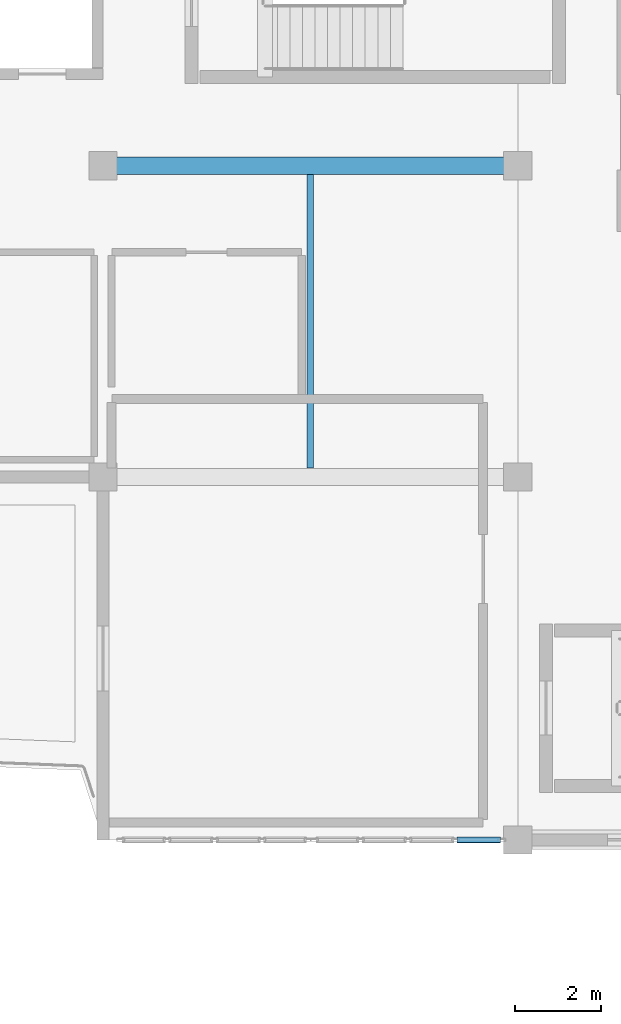
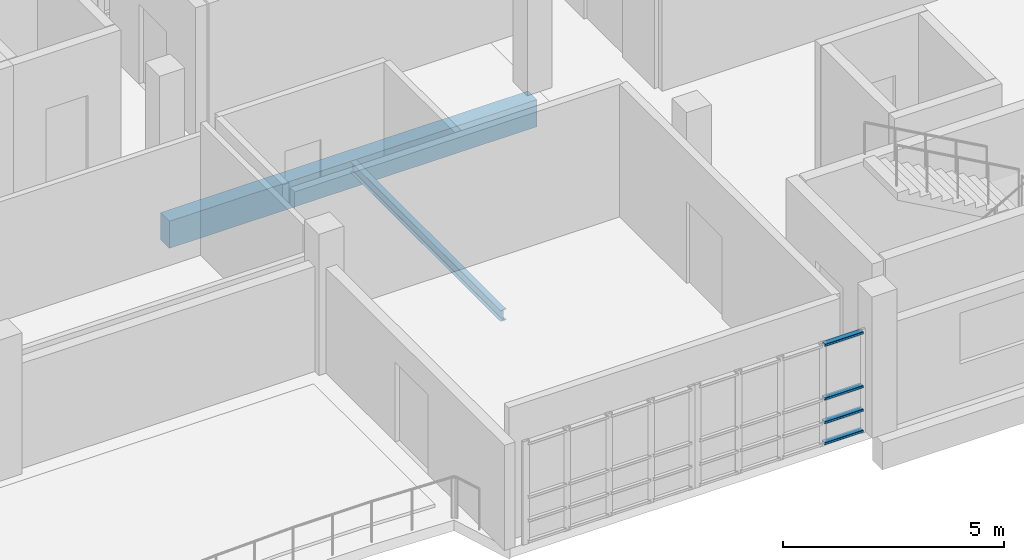
# One storey, part 5 of 25: 4 members, 2 beams, 1 element without a shape of its own.
"""IFC4 building model written with IfcOpenShell, lengths in metres."""

from ifc_helpers import new_model, si_unit, direction, frame, origin, origin_2d, place, context, subcontext, project, spatial, rectangle, hollow_rectangle, i_section, extrude, material, layer, layer_set, material_profile, profile_set, type_object, element, aggregate, save


model = new_model("IFC4")

# Units and contexts
model_context = context("Model", 3, precision=1e-05, world=origin(), true_north=direction((0.0, 1.0)))
body_context = subcontext(model_context, "Body", "Model", "MODEL_VIEW")
ifc_project = project(units=[si_unit("LENGTHUNIT", "METRE"), si_unit("AREAUNIT", "SQUARE_METRE"), si_unit("VOLUMEUNIT", "CUBIC_METRE"), si_unit("PLANEANGLEUNIT", "RADIAN"), si_unit("MASSUNIT", "GRAM", prefix="KILO")], contexts=[model_context])

# Site, building, storey
site_placement = place(None, origin())
site = spatial("IfcSite", under=ifc_project, at=site_placement, CompositionType="ELEMENT")
building_placement = place(site_placement, origin())
building = spatial("IfcBuilding", under=site, at=building_placement, Name="Kisaragi Civic Commons", CompositionType="ELEMENT")
storey_placement = place(building_placement, frame((0.0, 0.0, 13.5)))
storey = spatial("IfcBuildingStorey", under=building, at=storey_placement, Name="L03", CompositionType="ELEMENT", Elevation=13.5)

# Curtain wall, members
ifc_material_1 = material(Name="Thermally broken anodized aluminium and low-E double glazing", Category="aluminium")
ifc_layer = layer(ifc_material_1, 0.179931640625, Name="Thermally broken anodized aluminium and low-E double glazing", Category="aluminium")
ifc_layer_set = layer_set([ifc_layer], Name="Thermally broken anodized aluminium and low-E double glazing")
curtain_wall_type = type_object("IfcCurtainWallType", Name="CW-01", PredefinedType="NOTDEFINED", material=ifc_layer_set)
curtain_wall_placement = place(storey_placement, origin())
curtain_wall = element("IfcCurtainWall", 1, at=curtain_wall_placement, inside=storey, type_object=curtain_wall_type, Name="L03 curtain wall CW-01 CW-V4-L03-109", PredefinedType="NOTDEFINED")
ifc_material_profile_1 = material_profile(ifc_material_1, hollow_rectangle(XDim=0.139892578125, YDim=0.06494140625, WallThickness=0.00439453125, InnerFilletRadius=0.00439453125, OuterFilletRadius=0.009033203125, at=origin_2d()), Name="CWT-65x140x4.5", Category="aluminium")
ifc_profile_set_1 = profile_set([ifc_material_profile_1], Name="Thermally broken anodized aluminium and low-E double glazing")
member_type = type_object("IfcMemberType", Name="CWT-02", PredefinedType="USERDEFINED", material=ifc_profile_set_1)
member_1_placement = place(storey_placement, frame((123.195068359375, 96.0, 0.070068359375), z_axis=(-1.0, 0.0, 0.0), x_axis=(0.0, -1.0, 0.0)))
member_1 = element("IfcMember", 2, at=member_1_placement, type_object=member_type, Name="CW-01 transom 1.1", ObjectType="TRANSOM", PredefinedType="USERDEFINED", context=body_context, shape_type="SweptSolid", body=[
    extrude(hollow_rectangle(XDim=0.139892578125, YDim=0.06494140625, WallThickness=0.00439453125, InnerFilletRadius=0.00439453125, OuterFilletRadius=0.009033203125, at=origin_2d()), origin(), (0.0, 0.0, 1.0), 1.002685546875),
])
member_2_placement = place(storey_placement, frame((123.195068359375, 96.0, 0.64990234375), z_axis=(-1.0, 0.0, 0.0), x_axis=(0.0, -1.0, 0.0)))
member_2 = element("IfcMember", 3, at=member_2_placement, type_object=member_type, Name="CW-01 transom 1.2", ObjectType="TRANSOM", PredefinedType="USERDEFINED", context=body_context, shape_type="SweptSolid", body=[
    extrude(hollow_rectangle(XDim=0.139892578125, YDim=0.06494140625, WallThickness=0.00439453125, InnerFilletRadius=0.00439453125, OuterFilletRadius=0.009033203125, at=origin_2d()), origin(), (0.0, 0.0, 1.0), 1.002685546875),
])
member_3_placement = place(storey_placement, frame((123.195068359375, 96.0, 1.300048828125), z_axis=(-1.0, 0.0, 0.0), x_axis=(0.0, -1.0, 0.0)))
member_3 = element("IfcMember", 4, at=member_3_placement, type_object=member_type, Name="CW-01 transom 1.3", ObjectType="TRANSOM", PredefinedType="USERDEFINED", context=body_context, shape_type="SweptSolid", body=[
    extrude(hollow_rectangle(XDim=0.139892578125, YDim=0.06494140625, WallThickness=0.00439453125, InnerFilletRadius=0.00439453125, OuterFilletRadius=0.009033203125, at=origin_2d()), origin(), (0.0, 0.0, 1.0), 1.002685546875),
])
member_4_placement = place(storey_placement, frame((123.195068359375, 96.0, 2.784912109375), z_axis=(-1.0, 0.0, 0.0), x_axis=(0.0, -1.0, 0.0)))
member_4 = element("IfcMember", 5, at=member_4_placement, type_object=member_type, Name="CW-01 transom 1.4", ObjectType="TRANSOM", PredefinedType="USERDEFINED", context=body_context, shape_type="SweptSolid", body=[
    extrude(hollow_rectangle(XDim=0.139892578125, YDim=0.06494140625, WallThickness=0.00439453125, InnerFilletRadius=0.00439453125, OuterFilletRadius=0.009033203125, at=origin_2d()), origin(), (0.0, 0.0, 1.0), 1.002685546875),
])
aggregate(curtain_wall, [member_1, member_2, member_3, member_4])

# Beams
ifc_material_2 = material(Name="Concrete Fc30", Category="concrete")
ifc_material_profile_2 = material_profile(ifc_material_2, rectangle(XDim=0.39990234375, YDim=0.75, at=origin_2d()), Name="RC-400x750", Category="concrete")
ifc_profile_set_2 = profile_set([ifc_material_profile_2], Name="Concrete Fc30")
beam_type_1 = type_object("IfcBeamType", Name="G-04", PredefinedType="BEAM", material=ifc_profile_set_2)
beam_1_placement = place(storey_placement, frame((114.0, 111.60009765625, -0.669921875), z_axis=(1.0, 0.0, 0.0), x_axis=(0.0, 1.0, 0.0)))
element("IfcBeam", 6, at=beam_1_placement, inside=storey, type_object=beam_type_1, Name="L03 girder G-04 330", PredefinedType="BEAM", context=body_context, shape_type="SweptSolid", body=[
    extrude(rectangle(XDim=0.39990234375, YDim=0.75, at=origin_2d()), origin(), (0.0, 0.0, 1.0), 9.60009765625),
])
ifc_material_3 = material(Name="Steel SN400 (SN400B)", Category="steel")
ifc_material_profile_3 = material_profile(ifc_material_3, i_section(OverallWidth=0.14990234375, OverallDepth=0.300048828125, WebThickness=0.006591796875, FlangeThickness=0.009033203125, FilletRadius=0.012939453125, at=origin_2d()), Name="H-300x150x6.5x9", Category="steel")
ifc_profile_set_3 = profile_set([ifc_material_profile_3], Name="Steel SN400 (SN400B)")
beam_type_2 = type_object("IfcBeamType", Name="J-03", PredefinedType="JOIST", material=ifc_profile_set_3)
beam_2_placement = place(storey_placement, frame((118.800048828125, 104.60009765625, -0.445068359375), z_axis=(0.0, 1.0, 0.0), x_axis=(-1.0, 0.0, 0.0)))
element("IfcBeam", 7, at=beam_2_placement, inside=storey, type_object=beam_type_2, Name="L03 secondary steel joist J-03 75", PredefinedType="JOIST", context=body_context, shape_type="SweptSolid", body=[
    extrude(i_section(OverallWidth=0.14990234375, OverallDepth=0.300048828125, WebThickness=0.006591796875, FlangeThickness=0.009033203125, FilletRadius=0.012939453125, at=origin_2d()), origin(), (0.0, 0.0, 1.0), 6.7998046875),
])

save(model, "model.ifc")
